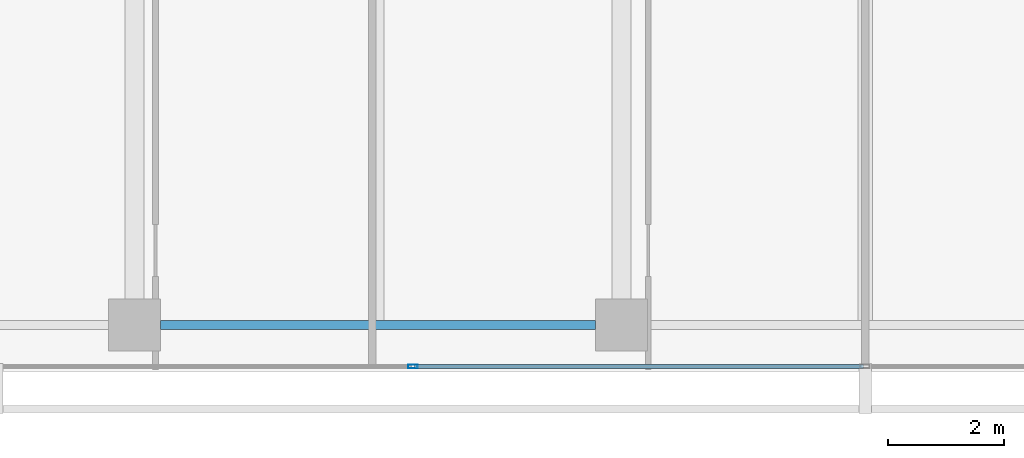
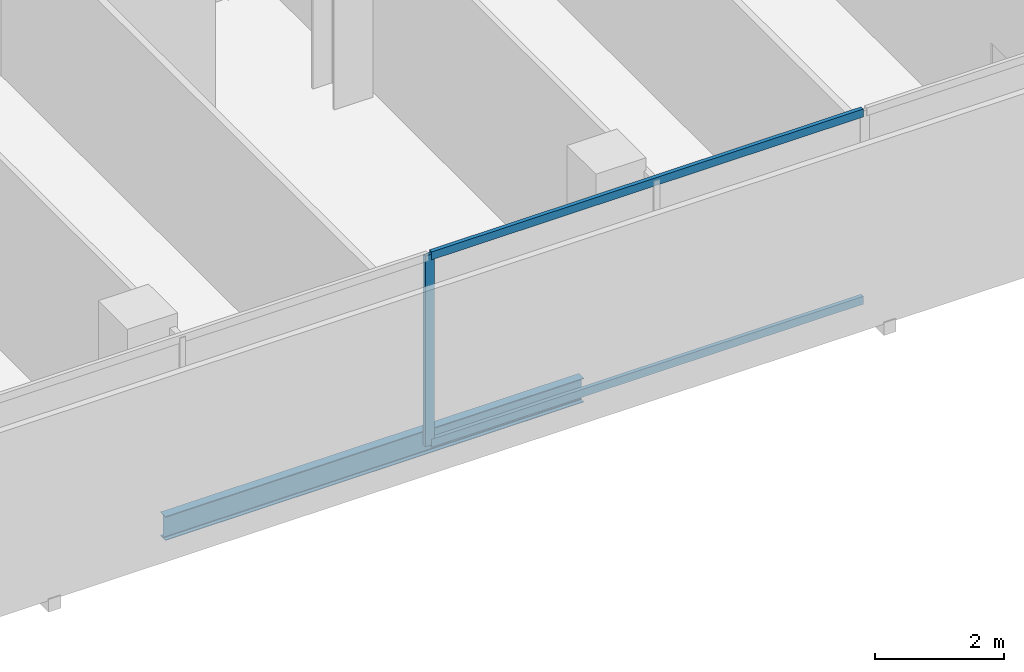
# One storey, part 7 of 40: 3 members, 1 beam, 1 element without a shape of its own.
"""IFC4 building model written with IfcOpenShell, lengths in metres."""

from ifc_helpers import new_model, si_unit, direction, frame, origin, origin_2d, place, context, subcontext, project, spatial, hollow_rectangle, i_section, extrude, material, layer, layer_set, material_profile, profile_set, type_object, element, aggregate, save


model = new_model("IFC4")

# Units and contexts
model_context = context("Model", 3, precision=1e-05, world=origin(), true_north=direction((0.0, 1.0)))
body_context = subcontext(model_context, "Body", "Model", "MODEL_VIEW")
ifc_project = project(units=[si_unit("LENGTHUNIT", "METRE"), si_unit("AREAUNIT", "SQUARE_METRE"), si_unit("VOLUMEUNIT", "CUBIC_METRE"), si_unit("PLANEANGLEUNIT", "RADIAN"), si_unit("MASSUNIT", "GRAM", prefix="KILO")], contexts=[model_context])

# Site, building, storey
site_placement = place(None, origin())
site = spatial("IfcSite", under=ifc_project, at=site_placement, CompositionType="ELEMENT")
building_placement = place(site_placement, origin())
building = spatial("IfcBuilding", under=site, at=building_placement, Name="Maruvema Waterfront Hotel and Observation Tower", CompositionType="ELEMENT")
storey_placement = place(building_placement, frame((0.0, 0.0, 88.550048828125)))
storey = spatial("IfcBuildingStorey", under=building, at=storey_placement, Name="L21", CompositionType="ELEMENT", Elevation=88.550048828125)

# Curtain wall, members
ifc_material_1 = material(Name="Anodised bronze aluminium and solar-control low-E IGU", Category="aluminium")
ifc_layer = layer(ifc_material_1, 0.159912109375, Name="Zone 1 Bronze Inner Thermal Curtain Wall System CW-02")
ifc_layer_set = layer_set([ifc_layer], Name="Anodised bronze aluminium and solar-control low-E IGU")
curtain_wall_type = type_object("IfcCurtainWallType", Name="Zone 1 Bronze Inner Thermal Curtain Wall System CW-02", PredefinedType="USERDEFINED", material=ifc_layer_set)
curtain_wall_placement = place(storey_placement, origin())
curtain_wall = element("IfcCurtainWall", 1, at=curtain_wall_placement, inside=storey, type_object=curtain_wall_type, Name="L21 Curtain Wall CW-L21-S", ObjectType="UNITISED CURTAIN WALL", PredefinedType="USERDEFINED")
ifc_material_2 = material(Name="Anodised architectural bronze aluminium", Category="aluminium")
ifc_material_profile_1 = material_profile(ifc_material_2, hollow_rectangle(XDim=0.070068359375, YDim=0.14990234375, WallThickness=0.00390625, at=origin_2d()), Name="ALU-T70x150")
ifc_profile_set_1 = profile_set([ifc_material_profile_1], Name="Anodised architectural bronze aluminium")
member_type_1 = type_object("IfcMemberType", Name="Curtain Wall Horizontal Transom ALU-T70x150", PredefinedType="USERDEFINED", material=ifc_profile_set_1)
member_1_placement = place(storey_placement, frame((30.030029296875, 0.080078125, 0.030029296875), z_axis=(1.0, 0.0, 0.0), x_axis=(0.0, 1.0, 0.0)))
member_1 = element("IfcMember", 2, at=member_1_placement, type_object=member_type_1, Name="CW-02 transom 3.1", ObjectType="TRANSOM", PredefinedType="USERDEFINED", context=body_context, shape_type="SweptSolid", body=[
    extrude(hollow_rectangle(XDim=0.070068359375, YDim=0.14990234375, WallThickness=0.00390625, at=origin_2d()), origin(), (0.0, 0.0, 1.0), 7.739990234375),
])
member_2_placement = place(storey_placement, frame((30.030029296875, 0.080078125, 3.579833984375), z_axis=(1.0, 0.0, 0.0), x_axis=(0.0, 1.0, 0.0)))
member_2 = element("IfcMember", 3, at=member_2_placement, type_object=member_type_1, Name="CW-02 transom 3.2", ObjectType="TRANSOM", PredefinedType="USERDEFINED", context=body_context, shape_type="SweptSolid", body=[
    extrude(hollow_rectangle(XDim=0.070068359375, YDim=0.14990234375, WallThickness=0.00390625, at=origin_2d()), origin(), (0.0, 0.0, 1.0), 7.739990234375),
])
ifc_material_3 = material(Name="Anodised architectural bronze aluminium", Category="aluminium")
ifc_material_profile_2 = material_profile(ifc_material_3, hollow_rectangle(XDim=0.06494140625, YDim=0.1650390625, WallThickness=0.00390625, at=origin_2d()), Name="ALU-M65x165")
ifc_profile_set_2 = profile_set([ifc_material_profile_2], Name="Anodised architectural bronze aluminium")
member_type_2 = type_object("IfcMemberType", Name="Curtain Wall Primary Mullion ALU-M65x165", PredefinedType="MULLION", material=ifc_profile_set_2)
member_3_placement = place(storey_placement, frame((30.0, 0.080078125, 0.0), z_axis=(0.0, 0.0, 1.0), x_axis=(0.0, 1.0, 0.0)))
member_3 = element("IfcMember", 4, at=member_3_placement, type_object=member_type_2, Name="CW-02 mullion 3", PredefinedType="MULLION", context=body_context, shape_type="SweptSolid", body=[
    extrude(hollow_rectangle(XDim=0.06494140625, YDim=0.1650390625, WallThickness=0.00390625, at=origin_2d()), origin(), (0.0, 0.0, 1.0), 3.60986328125),
])
aggregate(curtain_wall, [member_3, member_1, member_2])

# Beam
ifc_material_4 = material(Name="Steel ASTM A572 Grade 50", Category="steel")
ifc_material_profile_3 = material_profile(ifc_material_4, i_section(OverallWidth=0.153076171875, OverallDepth=0.455078125, WebThickness=0.008056640625, FlangeThickness=0.01318359375, FilletRadius=0.014892578125, at=origin_2d()), Name="W460x60.0")
ifc_profile_set_3 = profile_set([ifc_material_profile_3], Name="Steel ASTM A572 Grade 50")
beam_type = type_object("IfcBeamType", Name="Perimeter Spandrel Beam W460x60.0", PredefinedType="SPANDREL", material=ifc_profile_set_3)
beam_placement = place(storey_placement, frame((25.64990234375, 0.800048828125, -0.467529296875), z_axis=(1.0, 0.0, 0.0), x_axis=(0.0, 1.0, 0.0)))
element("IfcBeam", 5, at=beam_placement, inside=storey, type_object=beam_type, Name="L21 Floor Girder EW-02", PredefinedType="SPANDREL", context=body_context, shape_type="SweptSolid", body=[
    extrude(i_section(OverallWidth=0.153076171875, OverallDepth=0.455078125, WebThickness=0.008056640625, FlangeThickness=0.01318359375, FilletRadius=0.014892578125, at=origin_2d()), origin(), (0.0, 0.0, 1.0), 7.5),
])

save(model, "model.ifc")
